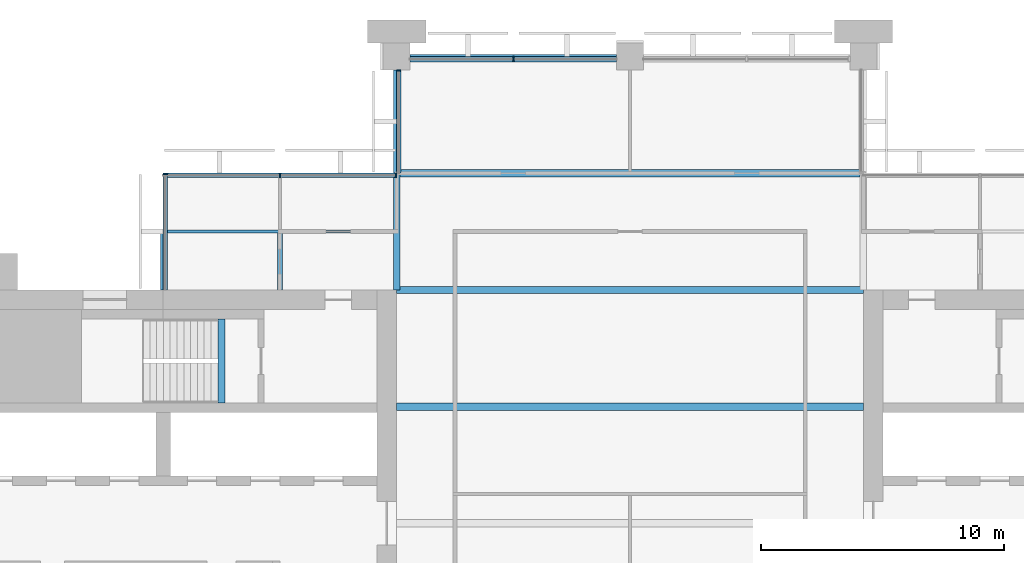
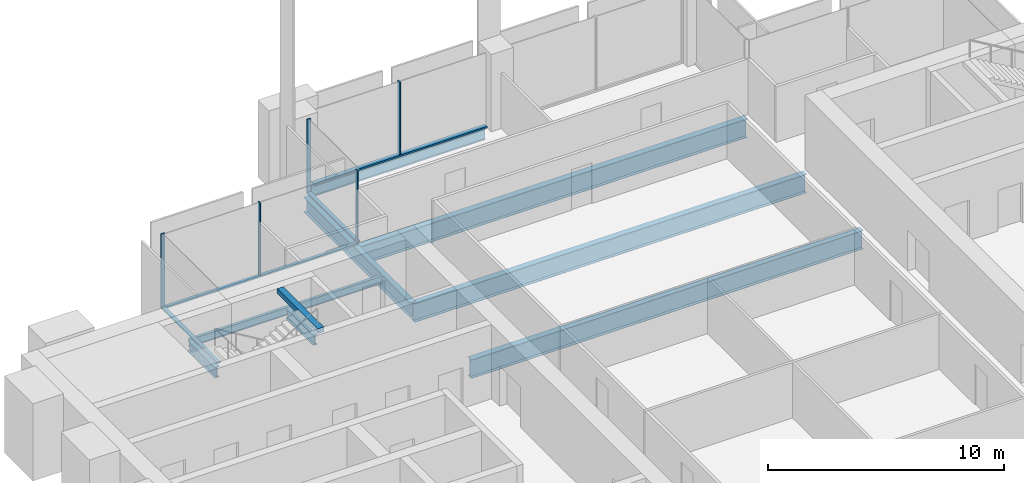
# One storey, part 5 of 13: 9 beams, 9 members, 4 elements without a shape of their own.
"""IFC4 building model written with IfcOpenShell, lengths in metres."""

from ifc_helpers import new_model, si_unit, direction, frame, origin, origin_2d, place, context, subcontext, project, spatial, rectangle, i_section, extrude, material, material_profile, profile_set, type_object, element, aggregate, save


model = new_model("IFC4")

# Units and contexts
model_context = context("Model", 3, precision=1e-05, world=origin(), true_north=direction((0.0, 1.0)))
body_context = subcontext(model_context, "Body", "Model", "MODEL_VIEW")
ifc_project = project(units=[si_unit("LENGTHUNIT", "METRE"), si_unit("AREAUNIT", "SQUARE_METRE"), si_unit("VOLUMEUNIT", "CUBIC_METRE"), si_unit("PLANEANGLEUNIT", "RADIAN"), si_unit("MASSUNIT", "GRAM", prefix="KILO")], contexts=[model_context])

# Site, building, storey
site_placement = place(None, origin())
site = spatial("IfcSite", under=ifc_project, at=site_placement, CompositionType="ELEMENT")
building_placement = place(site_placement, origin())
building = spatial("IfcBuilding", under=site, at=building_placement, Name="Baori Bourse Tower", CompositionType="ELEMENT")
storey_placement = place(building_placement, frame((0.0, 0.0, 237.199951171875)))
storey = spatial("IfcBuildingStorey", under=building, at=storey_placement, Name="L52", CompositionType="ELEMENT", Elevation=237.199951171875)

# Curtain wall, member
ifc_material_1 = material(Name="Pale anodised aluminium", Category="aluminium")
curtain_wall_type_1 = type_object("IfcCurtainWallType", Name="CW2 Curtain wall", PredefinedType="NOTDEFINED", material=ifc_material_1)
curtain_wall_1_placement = place(storey_placement, origin())
curtain_wall_1 = element("IfcCurtainWall", 1, at=curtain_wall_1_placement, inside=storey, type_object=curtain_wall_type_1, Name="Curtain wall CW2 L52 5", PredefinedType="NOTDEFINED")
ifc_material_2 = material(Name="Pale anodised aluminium", Category="aluminium")
ifc_material_profile_1 = material_profile(ifc_material_2, rectangle(XDim=0.179931640625, YDim=0.054931640625, at=origin_2d()), Name="Mullion 55x180")
ifc_profile_set_1 = profile_set([ifc_material_profile_1], Name="Pale anodised aluminium")
member_type_1 = type_object("IfcMemberType", Name="CW2 Curtain wall mullion", PredefinedType="MULLION", material=ifc_profile_set_1)
member_1_placement = place(storey_placement, frame((19.2900390625, 47.422607421875, 0.070068359375), z_axis=(0.0, 0.0, 1.0), x_axis=(1.0, 0.0, 0.0)))
member_1 = element("IfcMember", 2, at=member_1_placement, type_object=member_type_1, Name="Curtain wall CW2 mullion", PredefinedType="MULLION", context=body_context, shape_type="SweptSolid", body=[
    extrude(rectangle(XDim=0.179931640625, YDim=0.054931640625, at=origin_2d()), origin(), (0.0, 0.0, 1.0), 3.77001953125),
])

# Curtain wall, members
curtain_wall_2_placement = place(storey_placement, origin())
curtain_wall_2 = element("IfcCurtainWall", 3, at=curtain_wall_2_placement, inside=storey, type_object=curtain_wall_type_1, Name="Curtain wall CW2 L52 6", PredefinedType="NOTDEFINED")
member_2_placement = place(storey_placement, frame((19.172607421875, 43.110107421875, 0.070068359375), z_axis=(0.0, 0.0, 1.0), x_axis=(0.0, -1.0, 0.0)))
member_2 = element("IfcMember", 4, at=member_2_placement, type_object=member_type_1, Name="Curtain wall CW2 mullion", PredefinedType="MULLION", context=body_context, shape_type="SweptSolid", body=[
    extrude(rectangle(XDim=0.179931640625, YDim=0.054931640625, at=origin_2d()), origin(), (0.0, 0.0, 1.0), 3.77001953125),
])
member_3_placement = place(storey_placement, frame((14.39990234375, 43.110107421875, 0.070068359375), z_axis=(0.0, 0.0, 1.0), x_axis=(0.0, -1.0, 0.0)))
member_3 = element("IfcMember", 5, at=member_3_placement, type_object=member_type_1, Name="Curtain wall CW2 mullion", PredefinedType="MULLION", context=body_context, shape_type="SweptSolid", body=[
    extrude(rectangle(XDim=0.179931640625, YDim=0.054931640625, at=origin_2d()), origin(), (0.0, 0.0, 1.0), 3.77001953125),
])

# Curtain wall, member
curtain_wall_3_placement = place(storey_placement, origin())
curtain_wall_3 = element("IfcCurtainWall", 6, at=curtain_wall_3_placement, inside=storey, type_object=curtain_wall_type_1, Name="Curtain wall CW2 L52 7", PredefinedType="NOTDEFINED")
member_4_placement = place(storey_placement, frame((9.68994140625, 43.172607421875, 0.070068359375), z_axis=(0.0, 0.0, 1.0), x_axis=(1.0, 0.0, 0.0)))
member_4 = element("IfcMember", 7, at=member_4_placement, type_object=member_type_1, Name="Curtain wall CW2 mullion", PredefinedType="MULLION", context=body_context, shape_type="SweptSolid", body=[
    extrude(rectangle(XDim=0.179931640625, YDim=0.054931640625, at=origin_2d()), origin(), (0.0, 0.0, 1.0), 3.77001953125),
])

# Member
ifc_material_3 = material(Name="Pale anodised aluminium", Category="aluminium")
ifc_material_profile_2 = material_profile(ifc_material_3, rectangle(XDim=0.179931640625, YDim=0.070068359375, at=origin_2d()), Name="Transom 70x180")
ifc_profile_set_2 = profile_set([ifc_material_profile_2], Name="Pale anodised aluminium")
member_type_2 = type_object("IfcMemberType", Name="CW2 Curtain wall transom", PredefinedType="USERDEFINED", material=ifc_profile_set_2)
member_5_placement = place(storey_placement, frame((19.2900390625, 47.449951171875, 0.03515625), z_axis=(0.0, -1.0, 0.0), x_axis=(1.0, 0.0, 0.0)))
member_5 = element("IfcMember", 8, at=member_5_placement, type_object=member_type_2, Name="Curtain wall CW2 sill rail", ObjectType="TRANSOM", PredefinedType="USERDEFINED", context=body_context, shape_type="SweptSolid", body=[
    extrude(rectangle(XDim=0.179931640625, YDim=0.070068359375, at=origin_2d()), origin(), (0.0, 0.0, 1.0), 4.25),
])

aggregate(curtain_wall_1, [member_5, member_1])

member_6_placement = place(storey_placement, frame((19.199951171875, 43.110107421875, 0.03515625), z_axis=(-1.0, 0.0, 0.0), x_axis=(0.0, -1.0, 0.0)))
member_6 = element("IfcMember", 9, at=member_6_placement, type_object=member_type_2, Name="Curtain wall CW2 sill rail", ObjectType="TRANSOM", PredefinedType="USERDEFINED", context=body_context, shape_type="SweptSolid", body=[
    extrude(rectangle(XDim=0.179931640625, YDim=0.070068359375, at=origin_2d()), origin(), (0.0, 0.0, 1.0), 9.599853515625),
])

aggregate(curtain_wall_2, [member_6, member_2, member_3])

member_7_placement = place(storey_placement, frame((9.68994140625, 43.199951171875, 0.03515625), z_axis=(0.0, -1.0, 0.0), x_axis=(1.0, 0.0, 0.0)))
member_7 = element("IfcMember", 10, at=member_7_placement, type_object=member_type_2, Name="Curtain wall CW2 sill rail", ObjectType="TRANSOM", PredefinedType="USERDEFINED", context=body_context, shape_type="SweptSolid", body=[
    extrude(rectangle(XDim=0.179931640625, YDim=0.070068359375, at=origin_2d()), origin(), (0.0, 0.0, 1.0), 4.800048828125),
])

aggregate(curtain_wall_3, [member_7, member_4])

# Curtain wall, members
ifc_material_4 = material(Name="Pale anodised aluminium", Category="aluminium")
curtain_wall_type_2 = type_object("IfcCurtainWallType", Name="CW5 Curtain wall", PredefinedType="NOTDEFINED", material=ifc_material_4)
curtain_wall_4_placement = place(storey_placement, origin())
curtain_wall_4 = element("IfcCurtainWall", 11, at=curtain_wall_4_placement, inside=storey, type_object=curtain_wall_type_2, Name="Curtain wall CW5 L52 4", PredefinedType="NOTDEFINED")
ifc_material_5 = material(Name="Pale anodised aluminium", Category="aluminium")
ifc_material_profile_3 = material_profile(ifc_material_5, rectangle(XDim=0.219970703125, YDim=0.06494140625, at=origin_2d()), Name="Mullion 65x220")
ifc_profile_set_3 = profile_set([ifc_material_profile_3], Name="Pale anodised aluminium")
member_type_3 = type_object("IfcMemberType", Name="CW5 Curtain wall mullion", PredefinedType="MULLION", material=ifc_profile_set_3)
member_8_placement = place(storey_placement, frame((24.0, 47.889892578125, 0.0849609375), z_axis=(0.0, 0.0, 1.0), x_axis=(0.0, -1.0, 0.0)))
member_8 = element("IfcMember", 12, at=member_8_placement, type_object=member_type_3, Name="Curtain wall CW5 mullion", PredefinedType="MULLION", context=body_context, shape_type="SweptSolid", body=[
    extrude(rectangle(XDim=0.219970703125, YDim=0.06494140625, at=origin_2d()), origin(), (0.0, 0.0, 1.0), 3.755126953125),
])
ifc_material_6 = material(Name="Pale anodised aluminium", Category="aluminium")
ifc_material_profile_4 = material_profile(ifc_material_6, rectangle(XDim=0.219970703125, YDim=0.0849609375, at=origin_2d()), Name="Transom 85x220")
ifc_profile_set_4 = profile_set([ifc_material_profile_4], Name="Pale anodised aluminium")
member_type_4 = type_object("IfcMemberType", Name="CW5 Curtain wall transom", PredefinedType="USERDEFINED", material=ifc_profile_set_4)
member_9_placement = place(storey_placement, frame((28.25, 47.889892578125, 0.04248046875), z_axis=(-1.0, 0.0, 0.0), x_axis=(0.0, -1.0, 0.0)))
member_9 = element("IfcMember", 13, at=member_9_placement, type_object=member_type_4, Name="Curtain wall CW5 sill rail", ObjectType="TRANSOM", PredefinedType="USERDEFINED", context=body_context, shape_type="SweptSolid", body=[
    extrude(rectangle(XDim=0.219970703125, YDim=0.0849609375, at=origin_2d()), origin(), (0.0, 0.0, 1.0), 8.5),
])
aggregate(curtain_wall_4, [member_9, member_8])

# Beams
ifc_material_7 = material(Name="Steel A992 Gr 50", Category="steel")
ifc_material_profile_5 = material_profile(ifc_material_7, i_section(OverallWidth=0.21240234375, OverallDepth=0.54345703125, WebThickness=0.01318359375, FlangeThickness=0.021240234375, at=origin_2d()), Name="W21x83")
ifc_profile_set_5 = profile_set([ifc_material_profile_5], Name="Steel A992 Gr 50")
beam_type_1 = type_object("IfcBeamType", Name="Core bracket W21x83", PredefinedType="BEAM", material=ifc_profile_set_5)
for number, where, z_axis, x_axis, name in (
    (14, (9.60009765625, 38.39990234375, -0.431640625), (0.0, 1.0, 0.0), (-1.0, 0.0, 0.0), "Core bracket L52"),
    (15, (14.39990234375, 38.39990234375, -0.431640625), (0.0, 1.0, 0.0), (-1.0, 0.0, 0.0), "Core bracket L52"),
):
    element("IfcBeam", number, at=place(storey_placement, frame(where, z_axis=z_axis, x_axis=x_axis)), inside=storey, type_object=beam_type_1, Name=name, PredefinedType="BEAM", context=body_context, shape_type="SweptSolid", body=[
        extrude(i_section(OverallWidth=0.21240234375, OverallDepth=0.54345703125, WebThickness=0.01318359375, FlangeThickness=0.021240234375, at=origin_2d()), origin(), (0.0, 0.0, 1.0), 2.329833984375),
    ])
ifc_material_8 = material(Name="Steel A992 Gr 50", Category="steel")
ifc_material_profile_6 = material_profile(ifc_material_8, i_section(OverallWidth=0.1650390625, OverallDepth=0.52587890625, WebThickness=0.0087890625, FlangeThickness=0.011474609375, at=origin_2d()), Name="W21x44")
ifc_profile_set_6 = profile_set([ifc_material_profile_6], Name="Steel A992 Gr 50")
beam_type_2 = type_object("IfcBeamType", Name="Edge beam W21x44", PredefinedType="BEAM", material=ifc_profile_set_6)
beam_1_placement = place(storey_placement, frame((19.75, 48.0, -0.4228515625), z_axis=(1.0, 0.0, 0.0), x_axis=(0.0, 1.0, 0.0)))
element("IfcBeam", 16, at=beam_1_placement, inside=storey, type_object=beam_type_2, Name="Edge beam L52", PredefinedType="BEAM", context=body_context, shape_type="SweptSolid", body=[
    extrude(i_section(OverallWidth=0.1650390625, OverallDepth=0.52587890625, WebThickness=0.0087890625, FlangeThickness=0.011474609375, at=origin_2d()), origin(), (0.0, 0.0, 1.0), 8.5),
])
ifc_material_9 = material(Name="Steel A992 Gr 50", Category="steel")
ifc_material_profile_7 = material_profile(ifc_material_9, i_section(OverallWidth=0.2998046875, OverallDepth=0.97021484375, WebThickness=0.01611328125, FlangeThickness=0.02099609375, at=origin_2d()), Name="W40x149")
ifc_profile_set_7 = profile_set([ifc_material_profile_7], Name="Steel A992 Gr 50")
beam_type_3 = type_object("IfcBeamType", Name="Floor beam W40x149", PredefinedType="BEAM", material=ifc_profile_set_7)
for number, where, z_axis, x_axis, name in (
    (17, (19.199951171875, 33.60009765625, -0.64501953125), (1.0, 0.0, 0.0), (0.0, 1.0, 0.0), "Floor beam L52"),
    (18, (19.199951171875, 38.39990234375, -0.64501953125), (1.0, 0.0, 0.0), (0.0, 1.0, 0.0), "Floor beam L52"),
):
    element("IfcBeam", number, at=place(storey_placement, frame(where, z_axis=z_axis, x_axis=x_axis)), inside=storey, type_object=beam_type_3, Name=name, PredefinedType="BEAM", context=body_context, shape_type="SweptSolid", body=[
        extrude(i_section(OverallWidth=0.2998046875, OverallDepth=0.97021484375, WebThickness=0.01611328125, FlangeThickness=0.02099609375, at=origin_2d()), origin(), (0.0, 0.0, 1.0), 19.199951171875),
    ])
beam_2_placement = place(storey_placement, frame((19.333251953125, 43.199951171875, -0.64501953125), z_axis=(1.0, 0.0, 0.0), x_axis=(0.0, 1.0, 0.0)))
element("IfcBeam", 19, at=beam_2_placement, inside=storey, type_object=beam_type_3, Name="Floor beam L52", PredefinedType="BEAM", context=body_context, shape_type="SweptSolid", body=[
    extrude(i_section(OverallWidth=0.2998046875, OverallDepth=0.97021484375, WebThickness=0.01611328125, FlangeThickness=0.02099609375, at=origin_2d()), origin(), (0.0, 0.0, 1.0), 18.933349609375),
])
ifc_material_10 = material(Name="Steel A992 Gr 50", Category="steel")
ifc_material_profile_8 = material_profile(ifc_material_10, i_section(OverallWidth=0.2666015625, OverallDepth=0.76953125, WebThickness=0.015625, FlangeThickness=0.025390625, at=origin_2d()), Name="W30x132")
ifc_profile_set_8 = profile_set([ifc_material_profile_8], Name="Steel A992 Gr 50")
beam_type_4 = type_object("IfcBeamType", Name="Girder W30x132", PredefinedType="BEAM", material=ifc_profile_set_8)
beam_3_placement = place(storey_placement, frame((19.199951171875, 38.39990234375, -0.544677734375), z_axis=(0.0, 1.0, 0.0), x_axis=(-1.0, 0.0, 0.0)))
element("IfcBeam", 20, at=beam_3_placement, inside=storey, type_object=beam_type_4, Name="Girder L52", PredefinedType="BEAM", context=body_context, shape_type="SweptSolid", body=[
    extrude(i_section(OverallWidth=0.2666015625, OverallDepth=0.76953125, WebThickness=0.015625, FlangeThickness=0.025390625, at=origin_2d()), origin(), (0.0, 0.0, 1.0), 9.050048828125),
])
ifc_material_11 = material(Name="Concrete f'c 50 MPa", Category="concrete")
ifc_material_profile_9 = material_profile(ifc_material_11, rectangle(XDim=0.300048828125, YDim=0.25, at=origin_2d()), Name="RC 300x250")
ifc_profile_set_9 = profile_set([ifc_material_profile_9], Name="Concrete f'c 50 MPa")
beam_type_5 = type_object("IfcBeamType", Name="Stair nib beam RC 300x250", PredefinedType="BEAM", material=ifc_profile_set_9)
beam_4_placement = place(storey_placement, frame((12.0, 33.75, 3.715087890625), z_axis=(0.0, 1.0, 0.0), x_axis=(-1.0, 0.0, 0.0)))
element("IfcBeam", 21, at=beam_4_placement, inside=storey, type_object=beam_type_5, Name="Stair WB nib beam L53", PredefinedType="BEAM", context=body_context, shape_type="SweptSolid", body=[
    extrude(rectangle(XDim=0.300048828125, YDim=0.25, at=origin_2d()), origin(), (0.0, 0.0, 1.0), 3.449951171875),
])
ifc_material_12 = material(Name="Steel A992 Gr 50", Category="steel")
ifc_material_profile_10 = material_profile(ifc_material_12, i_section(OverallWidth=0.140380859375, OverallDepth=0.40380859375, WebThickness=0.007080078125, FlangeThickness=0.01123046875, at=origin_2d()), Name="W16x31")
ifc_profile_set_10 = profile_set([ifc_material_profile_10], Name="Steel A992 Gr 50")
beam_type_6 = type_object("IfcBeamType", Name="Trimmer beam W16x31", PredefinedType="BEAM", material=ifc_profile_set_10)
beam_5_placement = place(storey_placement, frame((9.60009765625, 40.800048828125, -0.36181640625), z_axis=(1.0, 0.0, 0.0), x_axis=(0.0, 1.0, 0.0)))
element("IfcBeam", 22, at=beam_5_placement, inside=storey, type_object=beam_type_6, Name="Trimmer beam L52", PredefinedType="BEAM", context=body_context, shape_type="SweptSolid", body=[
    extrude(i_section(OverallWidth=0.140380859375, OverallDepth=0.40380859375, WebThickness=0.007080078125, FlangeThickness=0.01123046875, at=origin_2d()), origin(), (0.0, 0.0, 1.0), 9.466552734375),
])

save(model, "model.ifc")
